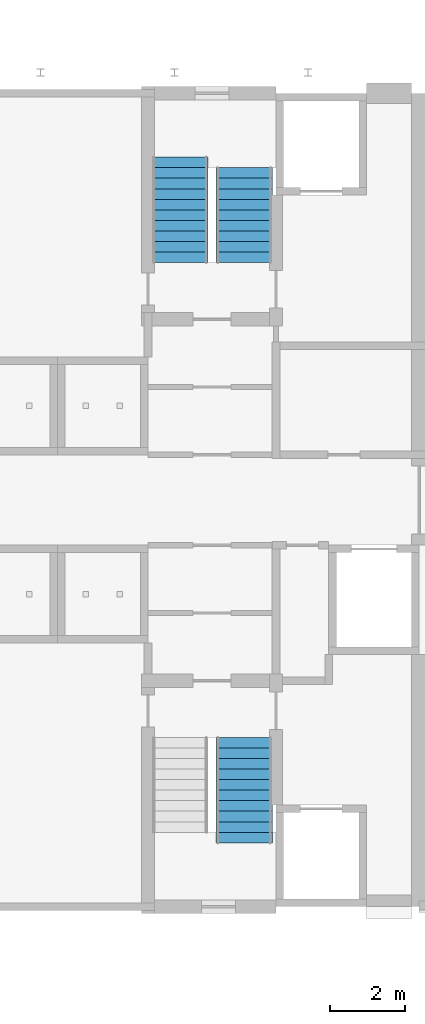
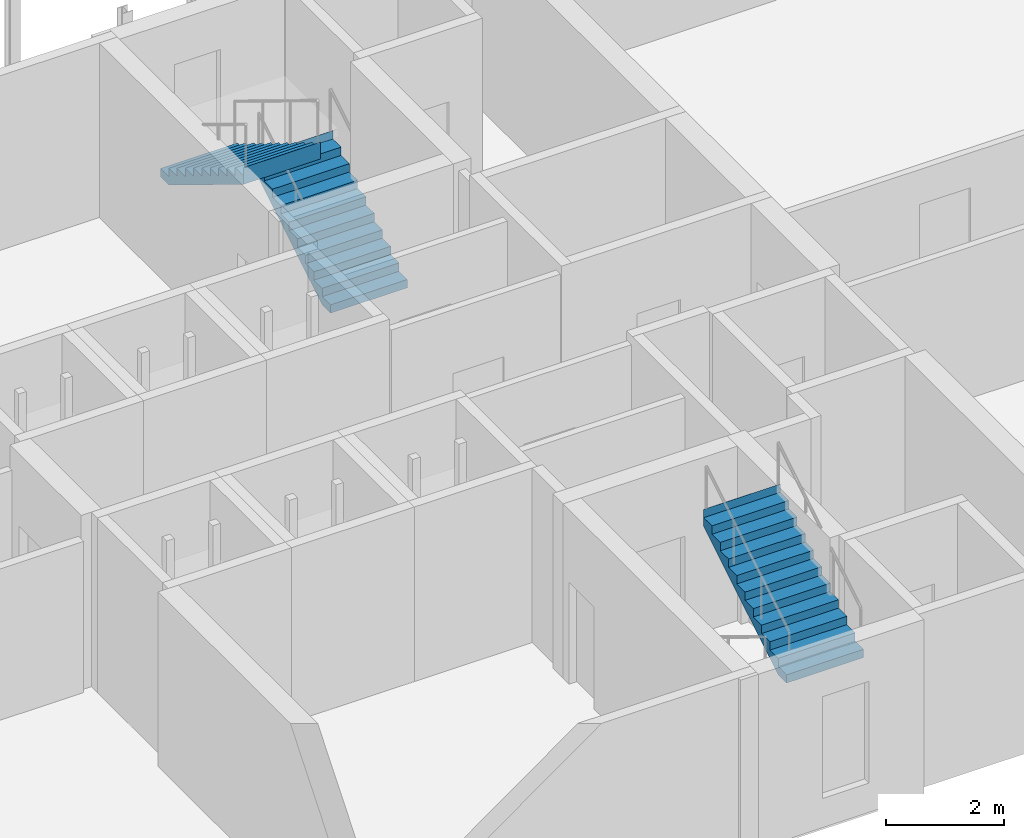
# One storey, part 73 of 90: 3 stair flights, 2 elements without a shape of their own.
"""IFC4 building model written with IfcOpenShell, lengths in metres."""

from ifc_helpers import new_model, si_unit, direction, frame, origin, place, context, subcontext, project, spatial, polyline, outline, extrude, material, type_object, element, aggregate, save


model = new_model("IFC4")

# Units and contexts
model_context = context("Model", 3, precision=1e-05, world=origin(), true_north=direction((0.0, 1.0)))
body_context = subcontext(model_context, "Body", "Model", "MODEL_VIEW")
ifc_project = project(units=[si_unit("LENGTHUNIT", "METRE"), si_unit("AREAUNIT", "SQUARE_METRE"), si_unit("VOLUMEUNIT", "CUBIC_METRE"), si_unit("PLANEANGLEUNIT", "RADIAN"), si_unit("MASSUNIT", "GRAM", prefix="KILO")], contexts=[model_context])

# Site, building, storey
site_placement = place(None, origin())
site = spatial("IfcSite", under=ifc_project, at=site_placement, CompositionType="ELEMENT")
building_placement = place(site_placement, origin())
building = spatial("IfcBuilding", under=site, at=building_placement, Name="Kupolbacken Congress Centre", CompositionType="ELEMENT")
storey_placement = place(building_placement, frame((0.0, 0.0, 3.60009765625)))
storey = spatial("IfcBuildingStorey", under=building, at=storey_placement, Name="L01", CompositionType="ELEMENT", Elevation=3.60009765625)

# Stair, stair flight
ifc_material_1 = material(Name="Steel S355", Category="steel")
stair_type = type_object("IfcStairType", Name="ST2 stair 1500", PredefinedType="TWO_STRAIGHT_RUN_STAIR", material=ifc_material_1)
stair_1_placement = place(storey_placement, origin())
stair_1 = element("IfcStair", 1, at=stair_1_placement, inside=storey, type_object=stair_type, Name="C/stair/TS2/L01", PredefinedType="NOTDEFINED")
ifc_material_2 = material(Name="Steel S355", Category="steel")
stair_flight_type_1 = type_object("IfcStairFlightType", Name="FL3 stair flight 1500 x 10 risers", PredefinedType="STRAIGHT", material=ifc_material_2)
stair_flight_1_placement = place(storey_placement, frame((103.35009765625, 139.5048828125, 0.0), z_axis=(0.0, 0.0, 1.0), x_axis=(0.0, 1.0, 0.0)))
stair_flight_1 = element("IfcStairFlight", 2, at=stair_flight_1_placement, type_object=stair_flight_type_1, Name="TS2 flight 1", NumberOfRisers=10, NumberOfTreads=9, PredefinedType="STRAIGHT", RiserHeight=0.171428571, TreadLength=0.28, context=body_context, shape_type="SweptSolid", body=[
    extrude(outline(polyline([(0.0, 0.0), (0.0, 0.0009765625), (0.0, 0.002197265625), (0.0, 0.003173828125), (0.0, 0.004150390625), (0.0, 0.00537109375), (0.0, 0.00634765625), (0.0, 0.007568359375), (0.0, 0.008544921875), (0.0, 0.009521484375), (0.0, 0.0107421875), (0.0, 0.01171875), (0.0, 0.0126953125), (0.0, 0.013916015625), (0.0, 0.014892578125), (0.0, 0.015869140625), (0.0, 0.01708984375), (0.0, 0.01806640625), (0.0, 0.019287109375), (0.0, 0.020263671875), (0.0, 0.021240234375), (0.0, 0.0224609375), (0.0, 0.0234375), (0.0, 0.0244140625), (0.0, 0.025634765625), (0.0, 0.026611328125), (0.0, 0.027587890625), (0.0, 0.02880859375), (0.0, 0.02978515625), (0.0, 0.03076171875), (0.0, 0.031982421875), (0.0, 0.032958984375), (0.0, 0.0341796875), (0.0, 0.03515625), (0.0, 0.0361328125), (0.0, 0.037353515625), (0.0, 0.038330078125), (0.0, 0.039306640625), (0.0, 0.04052734375), (0.0, 0.04150390625), (0.0, 0.04248046875), (0.0, 0.043701171875), (0.0, 0.044677734375), (0.0, 0.0458984375), (0.0, 0.046875), (0.0, 0.0478515625), (0.0, 0.049072265625), (0.0, 0.050048828125), (0.0, 0.051025390625), (0.0, 0.05224609375), (0.0, 0.05322265625), (0.0, 0.05419921875), (0.0, 0.055419921875), (0.0, 0.056396484375), (0.0, 0.0576171875), (0.0, 0.05859375), (0.0, 0.0595703125), (0.0, 0.060791015625), (0.0, 0.061767578125), (0.0, 0.062744140625), (0.0, 0.06396484375), (0.0, 0.06494140625), (0.0, 0.06591796875), (0.0, 0.067138671875), (0.0, 0.068115234375), (0.0, 0.069091796875), (0.0, 0.0703125), (0.0, 0.0712890625), (0.0, 0.072509765625), (0.0, 0.073486328125), (0.0, 0.074462890625), (0.0, 0.07568359375), (0.0, 0.07666015625), (0.0, 0.07763671875), (0.0, 0.078857421875), (0.0, 0.079833984375), (0.0, 0.080810546875), (0.0, 0.08203125), (0.0, 0.0830078125), (0.0, 0.084228515625), (0.0, 0.085205078125), (0.0, 0.086181640625), (0.0, 0.08740234375), (0.0, 0.08837890625), (0.0, 0.08935546875), (0.0, 0.090576171875), (0.0, 0.091552734375), (0.0, 0.092529296875), (0.0, 0.09375), (0.0, 0.0947265625), (0.0, 0.095947265625), (0.0, 0.096923828125), (0.0, 0.097900390625), (0.0, 0.09912109375), (0.0, 0.10009765625), (0.0, 0.10107421875), (0.0, 0.102294921875), (0.0, 0.103271484375), (0.0, 0.104248046875), (0.0, 0.10546875), (0.0, 0.1064453125), (0.0, 0.107421875), (0.0, 0.108642578125), (0.0, 0.109619140625), (0.0, 0.11083984375), (0.0, 0.11181640625), (0.0, 0.11279296875), (0.0, 0.114013671875), (0.0, 0.114990234375), (0.0, 0.115966796875), (0.0, 0.1171875), (0.0, 0.1181640625), (0.0, 0.119140625), (0.0, 0.120361328125), (0.0, 0.121337890625), (0.0, 0.12255859375), (0.0, 0.12353515625), (0.0, 0.12451171875), (0.0, 0.125732421875), (0.0, 0.126708984375), (0.0, 0.127685546875), (0.0, 0.12890625), (0.0, 0.1298828125), (0.0, 0.130859375), (0.0, 0.132080078125), (0.0, 0.133056640625), (0.0, 0.13427734375), (0.0, 0.13525390625), (0.0, 0.13623046875), (0.0, 0.137451171875), (0.0, 0.138427734375), (0.0, 0.139404296875), (0.0, 0.140625), (0.0, 0.1416015625), (0.0, 0.142578125), (0.0, 0.143798828125), (0.0, 0.144775390625), (0.0, 0.145751953125), (0.0, 0.14697265625), (0.0, 0.14794921875), (0.0, 0.149169921875), (0.0, 0.150146484375), (0.0, 0.151123046875), (0.0, 0.15234375), (0.0, 0.1533203125), (0.0, 0.154296875), (0.0, 0.155517578125), (0.0, 0.156494140625), (0.0, 0.157470703125), (0.0, 0.15869140625), (0.0, 0.15966796875), (0.0, 0.160888671875), (0.0, 0.161865234375), (0.0, 0.162841796875), (0.0, 0.1640625), (0.0, 0.1650390625), (0.0, 0.166015625), (0.0, 0.167236328125), (0.0, 0.168212890625), (0.0, 0.169189453125), (0.0, 0.17041015625), (0.0, 0.17138671875), (0.280029296875, 0.17138671875), (0.280029296875, 0.3427734375), (0.56005859375, 0.3427734375), (0.56005859375, 0.514404296875), (0.840087890625, 0.514404296875), (0.840087890625, 0.685791015625), (1.1201171875, 0.685791015625), (1.1201171875, 0.857177734375), (1.39990234375, 0.857177734375), (1.39990234375, 1.028564453125), (1.679931640625, 1.028564453125), (1.679931640625, 1.199951171875), (1.9599609375, 1.199951171875), (1.9599609375, 1.371337890625), (2.239990234375, 1.371337890625), (2.239990234375, 1.54296875), (2.52001953125, 1.54296875), (2.52001953125, 1.71435546875), (2.52197265625, 1.71435546875), (2.52197265625, 1.712158203125), (2.52197265625, 1.7099609375), (2.52197265625, 1.707763671875), (2.52197265625, 1.70556640625), (2.52197265625, 1.70361328125), (2.52197265625, 1.701416015625), (2.52197265625, 1.69921875), (2.52197265625, 1.697021484375), (2.52197265625, 1.69482421875), (2.52197265625, 1.692626953125), (2.52197265625, 1.690673828125), (2.52197265625, 1.6884765625), (2.52197265625, 1.686279296875), (2.52197265625, 1.68408203125), (2.52197265625, 1.681884765625), (2.52197265625, 1.6796875), (2.52197265625, 1.677734375), (2.52197265625, 1.675537109375), (2.52197265625, 1.67333984375), (2.52197265625, 1.671142578125), (2.52197265625, 1.6689453125), (2.52197265625, 1.666748046875), (2.52197265625, 1.664794921875), (2.52197265625, 1.66259765625), (2.52197265625, 1.660400390625), (2.52197265625, 1.658203125), (2.52197265625, 1.656005859375), (2.52197265625, 1.65380859375), (2.52197265625, 1.65185546875), (2.52197265625, 1.649658203125), (2.52197265625, 1.6474609375), (2.52197265625, 1.645263671875), (2.52197265625, 1.64306640625), (2.52197265625, 1.640869140625), (2.52197265625, 1.638916015625), (2.52197265625, 1.63671875), (2.52197265625, 1.634521484375), (2.52197265625, 1.63232421875), (2.52197265625, 1.630126953125), (2.52197265625, 1.6279296875), (2.52197265625, 1.6259765625), (2.52197265625, 1.623779296875), (2.52197265625, 1.62158203125), (2.52197265625, 1.619384765625), (2.52197265625, 1.6171875), (2.52197265625, 1.614990234375), (2.52197265625, 1.613037109375), (2.52197265625, 1.61083984375), (2.52197265625, 1.608642578125), (2.52197265625, 1.6064453125), (2.52197265625, 1.604248046875), (2.52197265625, 1.60205078125), (2.52197265625, 1.60009765625), (2.52197265625, 1.597900390625), (2.52197265625, 1.595703125), (2.52197265625, 1.593505859375), (2.52197265625, 1.59130859375), (2.52197265625, 1.589111328125), (2.52197265625, 1.587158203125), (2.52197265625, 1.5849609375), (2.52197265625, 1.582763671875), (2.52197265625, 1.58056640625), (2.52197265625, 1.578369140625), (2.52197265625, 1.576171875), (2.52197265625, 1.57421875), (2.52197265625, 1.572021484375), (2.52197265625, 1.56982421875), (2.52197265625, 1.567626953125), (2.52197265625, 1.5654296875), (2.52197265625, 1.563232421875), (2.52197265625, 1.561279296875), (2.52197265625, 1.55908203125), (2.52197265625, 1.556884765625), (2.52197265625, 1.5546875), (2.52197265625, 1.552490234375), (2.52197265625, 1.55029296875), (2.52197265625, 1.54833984375), (2.52197265625, 1.546142578125), (2.52197265625, 1.5439453125), (2.52197265625, 1.541748046875), (2.52197265625, 1.53955078125), (2.52197265625, 1.537353515625), (2.52197265625, 1.535400390625), (2.52197265625, 1.533203125), (2.52197265625, 1.531005859375), (2.52197265625, 1.52880859375), (2.52197265625, 1.526611328125), (2.52197265625, 1.5244140625), (2.52197265625, 1.5224609375), (2.52197265625, 1.520263671875), (2.52197265625, 1.51806640625), (2.52197265625, 1.515869140625), (2.52197265625, 1.513671875), (2.52197265625, 1.511474609375), (2.52197265625, 1.509521484375), (2.52197265625, 1.50732421875), (2.52197265625, 1.505126953125), (2.52197265625, 1.5029296875), (2.52197265625, 1.500732421875), (2.52197265625, 1.49853515625), (2.52197265625, 1.49658203125), (2.52197265625, 1.494384765625), (2.52197265625, 1.4921875), (2.52197265625, 1.489990234375), (2.52197265625, 1.48779296875), (2.52197265625, 1.485595703125), (2.52197265625, 1.483642578125), (2.52197265625, 1.4814453125), (2.52197265625, 1.479248046875), (2.52197265625, 1.47705078125), (2.52197265625, 1.474853515625), (2.52197265625, 1.47265625), (2.52197265625, 1.470703125), (2.52197265625, 1.468505859375), (2.52197265625, 1.46630859375), (2.52197265625, 1.464111328125), (2.52197265625, 1.4619140625), (2.52197265625, 1.459716796875), (2.52197265625, 1.457763671875), (2.52197265625, 1.45556640625), (2.52197265625, 1.453369140625), (2.52197265625, 1.451171875), (2.52197265625, 1.448974609375), (2.52197265625, 1.44677734375), (2.52197265625, 1.44482421875), (2.52197265625, 1.442626953125), (2.52197265625, 1.4404296875), (2.52197265625, 1.438232421875), (2.52197265625, 1.43603515625), (2.52197265625, 1.433837890625), (2.52197265625, 1.431884765625), (2.52197265625, 1.4296875), (2.52197265625, 1.427490234375), (2.52197265625, 1.42529296875), (2.52197265625, 1.423095703125), (2.52197265625, 1.4208984375), (2.52197265625, 1.4189453125), (2.52197265625, 1.416748046875), (2.52197265625, 1.41455078125), (2.52197265625, 1.412353515625), (2.52197265625, 1.41015625), (2.52197265625, 1.407958984375), (2.52197265625, 1.406005859375), (2.52197265625, 1.40380859375), (2.52197265625, 1.401611328125), (2.52197265625, 1.3994140625), (2.52197265625, 1.397216796875), (2.52197265625, 1.39501953125), (2.52197265625, 1.39306640625), (2.52197265625, 1.390869140625), (2.52197265625, 1.388671875), (2.52197265625, 1.386474609375), (2.52197265625, 1.38427734375), (2.52197265625, 1.382080078125), (2.52197265625, 1.380126953125), (2.52197265625, 1.3779296875), (2.52197265625, 1.375732421875), (2.52197265625, 1.37353515625), (2.52197265625, 1.371337890625), (2.52197265625, 1.369140625), (2.52197265625, 1.3671875), (0.2890625, 0.0), (0.0, 0.0)])), frame((0.0, 0.75, 0.0), z_axis=(0.0, -1.0, 0.0), x_axis=(1.0, 0.0, 0.0)), (0.0, 0.0, 1.0), 1.5),
])

stair_2_placement = place(storey_placement, origin())
stair_2 = element("IfcStair", 3, at=stair_2_placement, inside=storey, type_object=stair_type, Name="C/stair/TS1/L01", PredefinedType="NOTDEFINED")
ifc_material_3 = material(Name="Steel S355", Category="steel")
stair_flight_type_2 = type_object("IfcStairFlightType", Name="FL4 stair flight 1500 x 11 risers", PredefinedType="STRAIGHT", material=ifc_material_3)
stair_flight_2_placement = place(storey_placement, frame((103.35009765625, 124.094970703125, 1.714111328125), z_axis=(0.0, 0.0, 1.0), x_axis=(0.0, 1.0, 0.0)))
stair_flight_2 = element("IfcStairFlight", 4, at=stair_flight_2_placement, type_object=stair_flight_type_2, Name="TS1 flight 2", NumberOfRisers=11, NumberOfTreads=10, PredefinedType="STRAIGHT", RiserHeight=0.171428571, TreadLength=0.28, context=body_context, shape_type="SweptSolid", body=[
    extrude(outline(polyline([(0.0, 0.0), (0.0, 0.0009765625), (0.0, 0.002197265625), (0.0, 0.003173828125), (0.0, 0.004150390625), (0.0, 0.00537109375), (0.0, 0.00634765625), (0.0, 0.007568359375), (0.0, 0.008544921875), (0.0, 0.009521484375), (0.0, 0.0107421875), (0.0, 0.01171875), (0.0, 0.0126953125), (0.0, 0.013916015625), (0.0, 0.014892578125), (0.0, 0.015869140625), (0.0, 0.01708984375), (0.0, 0.01806640625), (0.0, 0.019287109375), (0.0, 0.020263671875), (0.0, 0.021240234375), (0.0, 0.0224609375), (0.0, 0.0234375), (0.0, 0.0244140625), (0.0, 0.025634765625), (0.0, 0.026611328125), (0.0, 0.027587890625), (0.0, 0.02880859375), (0.0, 0.02978515625), (0.0, 0.03076171875), (0.0, 0.031982421875), (0.0, 0.032958984375), (0.0, 0.0341796875), (0.0, 0.03515625), (0.0, 0.0361328125), (0.0, 0.037353515625), (0.0, 0.038330078125), (0.0, 0.039306640625), (0.0, 0.04052734375), (0.0, 0.04150390625), (0.0, 0.04248046875), (0.0, 0.043701171875), (0.0, 0.044677734375), (0.0, 0.0458984375), (0.0, 0.046875), (0.0, 0.0478515625), (0.0, 0.049072265625), (0.0, 0.050048828125), (0.0, 0.051025390625), (0.0, 0.05224609375), (0.0, 0.05322265625), (0.0, 0.05419921875), (0.0, 0.055419921875), (0.0, 0.056396484375), (0.0, 0.0576171875), (0.0, 0.05859375), (0.0, 0.0595703125), (0.0, 0.060791015625), (0.0, 0.061767578125), (0.0, 0.062744140625), (0.0, 0.06396484375), (0.0, 0.06494140625), (0.0, 0.06591796875), (0.0, 0.067138671875), (0.0, 0.068115234375), (0.0, 0.069091796875), (0.0, 0.0703125), (0.0, 0.0712890625), (0.0, 0.072509765625), (0.0, 0.073486328125), (0.0, 0.074462890625), (0.0, 0.07568359375), (0.0, 0.07666015625), (0.0, 0.07763671875), (0.0, 0.078857421875), (0.0, 0.079833984375), (0.0, 0.080810546875), (0.0, 0.08203125), (0.0, 0.0830078125), (0.0, 0.084228515625), (0.0, 0.085205078125), (0.0, 0.086181640625), (0.0, 0.08740234375), (0.0, 0.08837890625), (0.0, 0.08935546875), (0.0, 0.090576171875), (0.0, 0.091552734375), (0.0, 0.092529296875), (0.0, 0.09375), (0.0, 0.0947265625), (0.0, 0.095947265625), (0.0, 0.096923828125), (0.0, 0.097900390625), (0.0, 0.09912109375), (0.0, 0.10009765625), (0.0, 0.10107421875), (0.0, 0.102294921875), (0.0, 0.103271484375), (0.0, 0.104248046875), (0.0, 0.10546875), (0.0, 0.1064453125), (0.0, 0.107421875), (0.0, 0.108642578125), (0.0, 0.109619140625), (0.0, 0.11083984375), (0.0, 0.11181640625), (0.0, 0.11279296875), (0.0, 0.114013671875), (0.0, 0.114990234375), (0.0, 0.115966796875), (0.0, 0.1171875), (0.0, 0.1181640625), (0.0, 0.119140625), (0.0, 0.120361328125), (0.0, 0.121337890625), (0.0, 0.12255859375), (0.0, 0.12353515625), (0.0, 0.12451171875), (0.0, 0.125732421875), (0.0, 0.126708984375), (0.0, 0.127685546875), (0.0, 0.12890625), (0.0, 0.1298828125), (0.0, 0.130859375), (0.0, 0.132080078125), (0.0, 0.133056640625), (0.0, 0.13427734375), (0.0, 0.13525390625), (0.0, 0.13623046875), (0.0, 0.137451171875), (0.0, 0.138427734375), (0.0, 0.139404296875), (0.0, 0.140625), (0.0, 0.1416015625), (0.0, 0.142578125), (0.0, 0.143798828125), (0.0, 0.144775390625), (0.0, 0.145751953125), (0.0, 0.14697265625), (0.0, 0.14794921875), (0.0, 0.149169921875), (0.0, 0.150146484375), (0.0, 0.151123046875), (0.0, 0.15234375), (0.0, 0.1533203125), (0.0, 0.154296875), (0.0, 0.155517578125), (0.0, 0.156494140625), (0.0, 0.157470703125), (0.0, 0.15869140625), (0.0, 0.15966796875), (0.0, 0.160888671875), (0.0, 0.161865234375), (0.0, 0.162841796875), (0.0, 0.1640625), (0.0, 0.1650390625), (0.0, 0.166015625), (0.0, 0.167236328125), (0.0, 0.168212890625), (0.0, 0.169189453125), (0.0, 0.17041015625), (0.0, 0.17138671875), (0.280029296875, 0.17138671875), (0.280029296875, 0.3427734375), (0.56005859375, 0.3427734375), (0.56005859375, 0.514404296875), (0.840087890625, 0.514404296875), (0.840087890625, 0.685791015625), (1.1201171875, 0.685791015625), (1.1201171875, 0.857177734375), (1.39990234375, 0.857177734375), (1.39990234375, 1.028564453125), (1.679931640625, 1.028564453125), (1.679931640625, 1.199951171875), (1.9599609375, 1.199951171875), (1.9599609375, 1.371337890625), (2.239990234375, 1.371337890625), (2.239990234375, 1.54296875), (2.52001953125, 1.54296875), (2.52001953125, 1.71435546875), (2.800048828125, 1.71435546875), (2.800048828125, 1.8857421875), (2.802001953125, 1.8857421875), (2.802001953125, 1.883544921875), (2.802001953125, 1.88134765625), (2.802001953125, 1.879150390625), (2.802001953125, 1.877197265625), (2.802001953125, 1.875), (2.802001953125, 1.872802734375), (2.802001953125, 1.87060546875), (2.802001953125, 1.868408203125), (2.802001953125, 1.8662109375), (2.802001953125, 1.8642578125), (2.802001953125, 1.862060546875), (2.802001953125, 1.85986328125), (2.802001953125, 1.857666015625), (2.802001953125, 1.85546875), (2.802001953125, 1.853271484375), (2.802001953125, 1.851318359375), (2.802001953125, 1.84912109375), (2.802001953125, 1.846923828125), (2.802001953125, 1.8447265625), (2.802001953125, 1.842529296875), (2.802001953125, 1.84033203125), (2.802001953125, 1.83837890625), (2.802001953125, 1.836181640625), (2.802001953125, 1.833984375), (2.802001953125, 1.831787109375), (2.802001953125, 1.82958984375), (2.802001953125, 1.827392578125), (2.802001953125, 1.825439453125), (2.802001953125, 1.8232421875), (2.802001953125, 1.821044921875), (2.802001953125, 1.81884765625), (2.802001953125, 1.816650390625), (2.802001953125, 1.814453125), (2.802001953125, 1.8125), (2.802001953125, 1.810302734375), (2.802001953125, 1.80810546875), (2.802001953125, 1.805908203125), (2.802001953125, 1.8037109375), (2.802001953125, 1.801513671875), (2.802001953125, 1.799560546875), (2.802001953125, 1.79736328125), (2.802001953125, 1.795166015625), (2.802001953125, 1.79296875), (2.802001953125, 1.790771484375), (2.802001953125, 1.78857421875), (2.802001953125, 1.78662109375), (2.802001953125, 1.784423828125), (2.802001953125, 1.7822265625), (2.802001953125, 1.780029296875), (2.802001953125, 1.77783203125), (2.802001953125, 1.775634765625), (2.802001953125, 1.773681640625), (2.802001953125, 1.771484375), (2.802001953125, 1.769287109375), (2.802001953125, 1.76708984375), (2.802001953125, 1.764892578125), (2.802001953125, 1.7626953125), (2.802001953125, 1.7607421875), (2.802001953125, 1.758544921875), (2.802001953125, 1.75634765625), (2.802001953125, 1.754150390625), (2.802001953125, 1.751953125), (2.802001953125, 1.749755859375), (2.802001953125, 1.747802734375), (2.802001953125, 1.74560546875), (2.802001953125, 1.743408203125), (2.802001953125, 1.7412109375), (2.802001953125, 1.739013671875), (2.802001953125, 1.73681640625), (2.802001953125, 1.73486328125), (2.802001953125, 1.732666015625), (2.802001953125, 1.73046875), (2.802001953125, 1.728271484375), (2.802001953125, 1.72607421875), (2.802001953125, 1.723876953125), (2.802001953125, 1.721923828125), (2.802001953125, 1.7197265625), (2.802001953125, 1.717529296875), (2.802001953125, 1.71533203125), (2.802001953125, 1.713134765625), (2.802001953125, 1.7109375), (2.802001953125, 1.708984375), (2.802001953125, 1.706787109375), (2.802001953125, 1.70458984375), (2.802001953125, 1.702392578125), (2.802001953125, 1.7001953125), (2.802001953125, 1.697998046875), (2.802001953125, 1.696044921875), (2.802001953125, 1.69384765625), (2.802001953125, 1.691650390625), (2.802001953125, 1.689453125), (2.802001953125, 1.687255859375), (2.802001953125, 1.68505859375), (2.802001953125, 1.68310546875), (2.802001953125, 1.680908203125), (2.802001953125, 1.6787109375), (2.802001953125, 1.676513671875), (2.802001953125, 1.67431640625), (2.802001953125, 1.672119140625), (2.802001953125, 1.670166015625), (2.802001953125, 1.66796875), (2.802001953125, 1.665771484375), (2.802001953125, 1.66357421875), (2.802001953125, 1.661376953125), (2.802001953125, 1.6591796875), (2.802001953125, 1.6572265625), (2.802001953125, 1.655029296875), (2.802001953125, 1.65283203125), (2.802001953125, 1.650634765625), (2.802001953125, 1.6484375), (2.802001953125, 1.646240234375), (2.802001953125, 1.644287109375), (2.802001953125, 1.64208984375), (2.802001953125, 1.639892578125), (2.802001953125, 1.6376953125), (2.802001953125, 1.635498046875), (2.802001953125, 1.63330078125), (2.802001953125, 1.63134765625), (2.802001953125, 1.629150390625), (2.802001953125, 1.626953125), (2.802001953125, 1.624755859375), (2.802001953125, 1.62255859375), (2.802001953125, 1.620361328125), (2.802001953125, 1.618408203125), (2.802001953125, 1.6162109375), (2.802001953125, 1.614013671875), (2.802001953125, 1.61181640625), (2.802001953125, 1.609619140625), (2.802001953125, 1.607421875), (2.802001953125, 1.60546875), (2.802001953125, 1.603271484375), (2.802001953125, 1.60107421875), (2.802001953125, 1.598876953125), (2.802001953125, 1.5966796875), (2.802001953125, 1.594482421875), (2.802001953125, 1.592529296875), (2.802001953125, 1.59033203125), (2.802001953125, 1.588134765625), (2.802001953125, 1.5859375), (2.802001953125, 1.583740234375), (2.802001953125, 1.58154296875), (2.802001953125, 1.57958984375), (2.802001953125, 1.577392578125), (2.802001953125, 1.5751953125), (2.802001953125, 1.572998046875), (2.802001953125, 1.57080078125), (2.802001953125, 1.568603515625), (2.802001953125, 1.566650390625), (2.802001953125, 1.564453125), (2.802001953125, 1.562255859375), (2.802001953125, 1.56005859375), (2.802001953125, 1.557861328125), (2.802001953125, 1.5556640625), (2.802001953125, 1.5537109375), (2.802001953125, 1.551513671875), (2.802001953125, 1.54931640625), (2.802001953125, 1.547119140625), (2.802001953125, 1.544921875), (2.802001953125, 1.542724609375), (2.802001953125, 1.540771484375), (2.802001953125, 1.53857421875), (0.2890625, 0.0), (0.0, 0.0)])), frame((0.0, 0.75, 0.0), z_axis=(0.0, -1.0, 0.0), x_axis=(1.0, 0.0, 0.0)), (0.0, 0.0, 1.0), 1.5),
])
aggregate(stair_2, [stair_flight_2])

# Stair flight
stair_flight_3_placement = place(storey_placement, frame((101.64990234375, 142.304931640625, 1.714111328125), z_axis=(0.0, 0.0, 1.0), x_axis=(0.0, -1.0, 0.0)))
stair_flight_3 = element("IfcStairFlight", 5, at=stair_flight_3_placement, type_object=stair_flight_type_2, Name="TS2 flight 2", NumberOfRisers=11, NumberOfTreads=10, PredefinedType="STRAIGHT", RiserHeight=0.171428571, TreadLength=0.28, context=body_context, shape_type="SweptSolid", body=[
    extrude(outline(polyline([(0.0, 0.0), (0.0, 0.0009765625), (0.0, 0.002197265625), (0.0, 0.003173828125), (0.0, 0.004150390625), (0.0, 0.00537109375), (0.0, 0.00634765625), (0.0, 0.007568359375), (0.0, 0.008544921875), (0.0, 0.009521484375), (0.0, 0.0107421875), (0.0, 0.01171875), (0.0, 0.0126953125), (0.0, 0.013916015625), (0.0, 0.014892578125), (0.0, 0.015869140625), (0.0, 0.01708984375), (0.0, 0.01806640625), (0.0, 0.019287109375), (0.0, 0.020263671875), (0.0, 0.021240234375), (0.0, 0.0224609375), (0.0, 0.0234375), (0.0, 0.0244140625), (0.0, 0.025634765625), (0.0, 0.026611328125), (0.0, 0.027587890625), (0.0, 0.02880859375), (0.0, 0.02978515625), (0.0, 0.03076171875), (0.0, 0.031982421875), (0.0, 0.032958984375), (0.0, 0.0341796875), (0.0, 0.03515625), (0.0, 0.0361328125), (0.0, 0.037353515625), (0.0, 0.038330078125), (0.0, 0.039306640625), (0.0, 0.04052734375), (0.0, 0.04150390625), (0.0, 0.04248046875), (0.0, 0.043701171875), (0.0, 0.044677734375), (0.0, 0.0458984375), (0.0, 0.046875), (0.0, 0.0478515625), (0.0, 0.049072265625), (0.0, 0.050048828125), (0.0, 0.051025390625), (0.0, 0.05224609375), (0.0, 0.05322265625), (0.0, 0.05419921875), (0.0, 0.055419921875), (0.0, 0.056396484375), (0.0, 0.0576171875), (0.0, 0.05859375), (0.0, 0.0595703125), (0.0, 0.060791015625), (0.0, 0.061767578125), (0.0, 0.062744140625), (0.0, 0.06396484375), (0.0, 0.06494140625), (0.0, 0.06591796875), (0.0, 0.067138671875), (0.0, 0.068115234375), (0.0, 0.069091796875), (0.0, 0.0703125), (0.0, 0.0712890625), (0.0, 0.072509765625), (0.0, 0.073486328125), (0.0, 0.074462890625), (0.0, 0.07568359375), (0.0, 0.07666015625), (0.0, 0.07763671875), (0.0, 0.078857421875), (0.0, 0.079833984375), (0.0, 0.080810546875), (0.0, 0.08203125), (0.0, 0.0830078125), (0.0, 0.084228515625), (0.0, 0.085205078125), (0.0, 0.086181640625), (0.0, 0.08740234375), (0.0, 0.08837890625), (0.0, 0.08935546875), (0.0, 0.090576171875), (0.0, 0.091552734375), (0.0, 0.092529296875), (0.0, 0.09375), (0.0, 0.0947265625), (0.0, 0.095947265625), (0.0, 0.096923828125), (0.0, 0.097900390625), (0.0, 0.09912109375), (0.0, 0.10009765625), (0.0, 0.10107421875), (0.0, 0.102294921875), (0.0, 0.103271484375), (0.0, 0.104248046875), (0.0, 0.10546875), (0.0, 0.1064453125), (0.0, 0.107421875), (0.0, 0.108642578125), (0.0, 0.109619140625), (0.0, 0.11083984375), (0.0, 0.11181640625), (0.0, 0.11279296875), (0.0, 0.114013671875), (0.0, 0.114990234375), (0.0, 0.115966796875), (0.0, 0.1171875), (0.0, 0.1181640625), (0.0, 0.119140625), (0.0, 0.120361328125), (0.0, 0.121337890625), (0.0, 0.12255859375), (0.0, 0.12353515625), (0.0, 0.12451171875), (0.0, 0.125732421875), (0.0, 0.126708984375), (0.0, 0.127685546875), (0.0, 0.12890625), (0.0, 0.1298828125), (0.0, 0.130859375), (0.0, 0.132080078125), (0.0, 0.133056640625), (0.0, 0.13427734375), (0.0, 0.13525390625), (0.0, 0.13623046875), (0.0, 0.137451171875), (0.0, 0.138427734375), (0.0, 0.139404296875), (0.0, 0.140625), (0.0, 0.1416015625), (0.0, 0.142578125), (0.0, 0.143798828125), (0.0, 0.144775390625), (0.0, 0.145751953125), (0.0, 0.14697265625), (0.0, 0.14794921875), (0.0, 0.149169921875), (0.0, 0.150146484375), (0.0, 0.151123046875), (0.0, 0.15234375), (0.0, 0.1533203125), (0.0, 0.154296875), (0.0, 0.155517578125), (0.0, 0.156494140625), (0.0, 0.157470703125), (0.0, 0.15869140625), (0.0, 0.15966796875), (0.0, 0.160888671875), (0.0, 0.161865234375), (0.0, 0.162841796875), (0.0, 0.1640625), (0.0, 0.1650390625), (0.0, 0.166015625), (0.0, 0.167236328125), (0.0, 0.168212890625), (0.0, 0.169189453125), (0.0, 0.17041015625), (0.0, 0.17138671875), (0.280029296875, 0.17138671875), (0.280029296875, 0.3427734375), (0.56005859375, 0.3427734375), (0.56005859375, 0.514404296875), (0.840087890625, 0.514404296875), (0.840087890625, 0.685791015625), (1.1201171875, 0.685791015625), (1.1201171875, 0.857177734375), (1.39990234375, 0.857177734375), (1.39990234375, 1.028564453125), (1.679931640625, 1.028564453125), (1.679931640625, 1.199951171875), (1.9599609375, 1.199951171875), (1.9599609375, 1.371337890625), (2.239990234375, 1.371337890625), (2.239990234375, 1.54296875), (2.52001953125, 1.54296875), (2.52001953125, 1.71435546875), (2.800048828125, 1.71435546875), (2.800048828125, 1.8857421875), (2.802001953125, 1.8857421875), (2.802001953125, 1.883544921875), (2.802001953125, 1.88134765625), (2.802001953125, 1.879150390625), (2.802001953125, 1.877197265625), (2.802001953125, 1.875), (2.802001953125, 1.872802734375), (2.802001953125, 1.87060546875), (2.802001953125, 1.868408203125), (2.802001953125, 1.8662109375), (2.802001953125, 1.8642578125), (2.802001953125, 1.862060546875), (2.802001953125, 1.85986328125), (2.802001953125, 1.857666015625), (2.802001953125, 1.85546875), (2.802001953125, 1.853271484375), (2.802001953125, 1.851318359375), (2.802001953125, 1.84912109375), (2.802001953125, 1.846923828125), (2.802001953125, 1.8447265625), (2.802001953125, 1.842529296875), (2.802001953125, 1.84033203125), (2.802001953125, 1.83837890625), (2.802001953125, 1.836181640625), (2.802001953125, 1.833984375), (2.802001953125, 1.831787109375), (2.802001953125, 1.82958984375), (2.802001953125, 1.827392578125), (2.802001953125, 1.825439453125), (2.802001953125, 1.8232421875), (2.802001953125, 1.821044921875), (2.802001953125, 1.81884765625), (2.802001953125, 1.816650390625), (2.802001953125, 1.814453125), (2.802001953125, 1.8125), (2.802001953125, 1.810302734375), (2.802001953125, 1.80810546875), (2.802001953125, 1.805908203125), (2.802001953125, 1.8037109375), (2.802001953125, 1.801513671875), (2.802001953125, 1.799560546875), (2.802001953125, 1.79736328125), (2.802001953125, 1.795166015625), (2.802001953125, 1.79296875), (2.802001953125, 1.790771484375), (2.802001953125, 1.78857421875), (2.802001953125, 1.78662109375), (2.802001953125, 1.784423828125), (2.802001953125, 1.7822265625), (2.802001953125, 1.780029296875), (2.802001953125, 1.77783203125), (2.802001953125, 1.775634765625), (2.802001953125, 1.773681640625), (2.802001953125, 1.771484375), (2.802001953125, 1.769287109375), (2.802001953125, 1.76708984375), (2.802001953125, 1.764892578125), (2.802001953125, 1.7626953125), (2.802001953125, 1.7607421875), (2.802001953125, 1.758544921875), (2.802001953125, 1.75634765625), (2.802001953125, 1.754150390625), (2.802001953125, 1.751953125), (2.802001953125, 1.749755859375), (2.802001953125, 1.747802734375), (2.802001953125, 1.74560546875), (2.802001953125, 1.743408203125), (2.802001953125, 1.7412109375), (2.802001953125, 1.739013671875), (2.802001953125, 1.73681640625), (2.802001953125, 1.73486328125), (2.802001953125, 1.732666015625), (2.802001953125, 1.73046875), (2.802001953125, 1.728271484375), (2.802001953125, 1.72607421875), (2.802001953125, 1.723876953125), (2.802001953125, 1.721923828125), (2.802001953125, 1.7197265625), (2.802001953125, 1.717529296875), (2.802001953125, 1.71533203125), (2.802001953125, 1.713134765625), (2.802001953125, 1.7109375), (2.802001953125, 1.708984375), (2.802001953125, 1.706787109375), (2.802001953125, 1.70458984375), (2.802001953125, 1.702392578125), (2.802001953125, 1.7001953125), (2.802001953125, 1.697998046875), (2.802001953125, 1.696044921875), (2.802001953125, 1.69384765625), (2.802001953125, 1.691650390625), (2.802001953125, 1.689453125), (2.802001953125, 1.687255859375), (2.802001953125, 1.68505859375), (2.802001953125, 1.68310546875), (2.802001953125, 1.680908203125), (2.802001953125, 1.6787109375), (2.802001953125, 1.676513671875), (2.802001953125, 1.67431640625), (2.802001953125, 1.672119140625), (2.802001953125, 1.670166015625), (2.802001953125, 1.66796875), (2.802001953125, 1.665771484375), (2.802001953125, 1.66357421875), (2.802001953125, 1.661376953125), (2.802001953125, 1.6591796875), (2.802001953125, 1.6572265625), (2.802001953125, 1.655029296875), (2.802001953125, 1.65283203125), (2.802001953125, 1.650634765625), (2.802001953125, 1.6484375), (2.802001953125, 1.646240234375), (2.802001953125, 1.644287109375), (2.802001953125, 1.64208984375), (2.802001953125, 1.639892578125), (2.802001953125, 1.6376953125), (2.802001953125, 1.635498046875), (2.802001953125, 1.63330078125), (2.802001953125, 1.63134765625), (2.802001953125, 1.629150390625), (2.802001953125, 1.626953125), (2.802001953125, 1.624755859375), (2.802001953125, 1.62255859375), (2.802001953125, 1.620361328125), (2.802001953125, 1.618408203125), (2.802001953125, 1.6162109375), (2.802001953125, 1.614013671875), (2.802001953125, 1.61181640625), (2.802001953125, 1.609619140625), (2.802001953125, 1.607421875), (2.802001953125, 1.60546875), (2.802001953125, 1.603271484375), (2.802001953125, 1.60107421875), (2.802001953125, 1.598876953125), (2.802001953125, 1.5966796875), (2.802001953125, 1.594482421875), (2.802001953125, 1.592529296875), (2.802001953125, 1.59033203125), (2.802001953125, 1.588134765625), (2.802001953125, 1.5859375), (2.802001953125, 1.583740234375), (2.802001953125, 1.58154296875), (2.802001953125, 1.57958984375), (2.802001953125, 1.577392578125), (2.802001953125, 1.5751953125), (2.802001953125, 1.572998046875), (2.802001953125, 1.57080078125), (2.802001953125, 1.568603515625), (2.802001953125, 1.566650390625), (2.802001953125, 1.564453125), (2.802001953125, 1.562255859375), (2.802001953125, 1.56005859375), (2.802001953125, 1.557861328125), (2.802001953125, 1.5556640625), (2.802001953125, 1.5537109375), (2.802001953125, 1.551513671875), (2.802001953125, 1.54931640625), (2.802001953125, 1.547119140625), (2.802001953125, 1.544921875), (2.802001953125, 1.542724609375), (2.802001953125, 1.540771484375), (2.802001953125, 1.53857421875), (0.2890625, 0.0), (0.0, 0.0)])), frame((0.0, 0.75, 0.0), z_axis=(0.0, -1.0, 0.0), x_axis=(1.0, 0.0, 0.0)), (0.0, 0.0, 1.0), 1.5),
])

aggregate(stair_1, [stair_flight_1, stair_flight_3])

save(model, "model.ifc")
